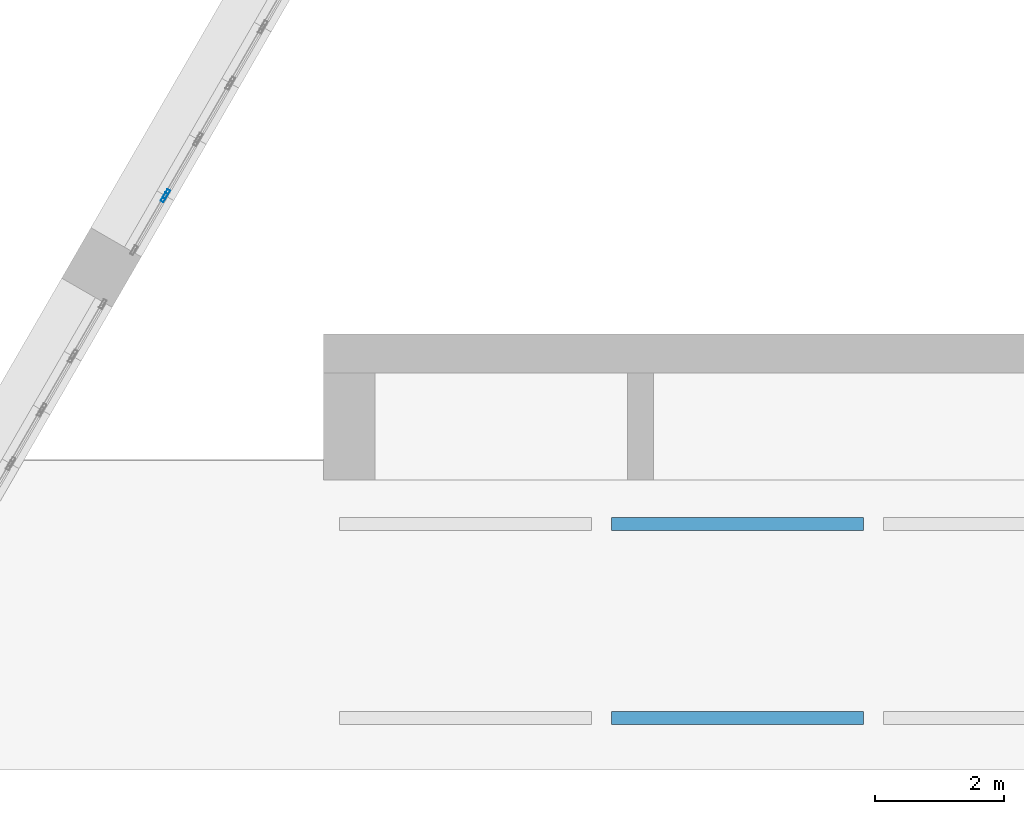
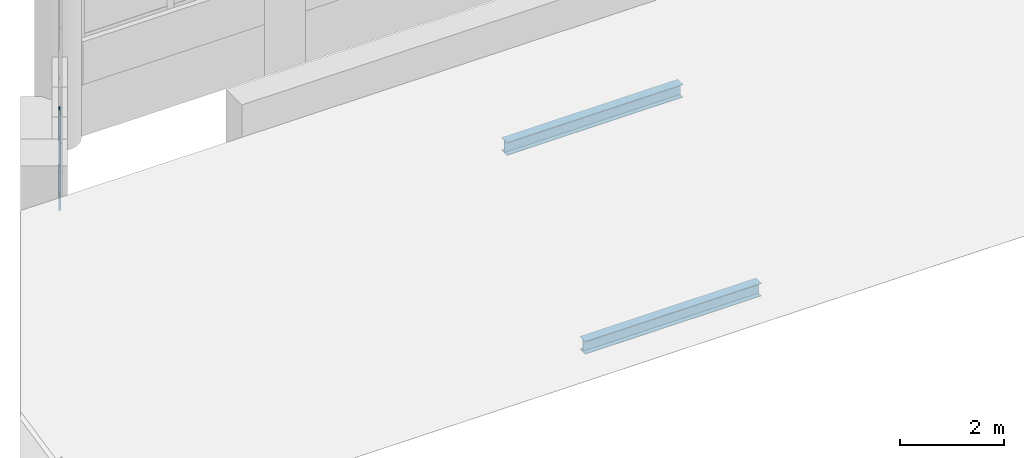
# One storey, part 3 of 11: 4 members, 2 elements without a shape of their own.
"""IFC4 building model written with IfcOpenShell, lengths in metres."""

from ifc_helpers import new_model, si_unit, direction, frame, origin, origin_2d, place, context, subcontext, project, spatial, hollow_rectangle, i_section, extrude, material, material_profile, profile_set, type_object, element, aggregate, save


model = new_model("IFC4")

# Units and contexts
model_context = context("Model", 3, precision=1e-05, world=origin(), true_north=direction((0.0, 1.0)))
body_context = subcontext(model_context, "Body", "Model", "MODEL_VIEW")
ifc_project = project(units=[si_unit("LENGTHUNIT", "METRE"), si_unit("AREAUNIT", "SQUARE_METRE"), si_unit("VOLUMEUNIT", "CUBIC_METRE"), si_unit("PLANEANGLEUNIT", "RADIAN"), si_unit("MASSUNIT", "GRAM", prefix="KILO")], contexts=[model_context])

# Site, building, storey
site_placement = place(None, origin())
site = spatial("IfcSite", under=ifc_project, at=site_placement, CompositionType="ELEMENT")
building_placement = place(site_placement, origin())
building = spatial("IfcBuilding", under=site, at=building_placement, Name="Ostrander Bayou Hotel Tower", CompositionType="ELEMENT")
storey_placement = place(building_placement, frame((0.0, 0.0, 293.0)))
storey = spatial("IfcBuildingStorey", under=building, at=storey_placement, Name="Roof 72", CompositionType="ELEMENT", Elevation=293.0)

# Members
ifc_material_1 = material(Name="Steel ASTM A992", Category="steel")
ifc_material_profile_1 = material_profile(ifc_material_1, i_section(OverallWidth=0.203369140625, OverallDepth=0.30322265625, WebThickness=0.007568359375, FlangeThickness=0.01318359375, at=origin_2d()))
ifc_profile_set_1 = profile_set([ifc_material_profile_1], Name="Steel ASTM A992")
member_type_1 = type_object("IfcMemberType", Name="CP3 crown purlin W12x40", PredefinedType="PURLIN", material=ifc_profile_set_1)
for number, where, z_axis, x_axis, name in (
    (1, (-4.046142578125, 3.76708984375, 0.25830078125), (1.0, 0.0, 0.0), (0.0, 1.0, 0.0), "CP3 P2-18"),
    (2, (-4.046142578125, 6.76708984375, 3.083984375), (1.0, 0.0, 0.0), (0.0, 1.0, 0.0), "CP3 P2-19"),
):
    element("IfcMember", number, at=place(storey_placement, frame(where, z_axis=z_axis, x_axis=x_axis)), inside=storey, type_object=member_type_1, Name=name, PredefinedType="PURLIN", context=body_context, shape_type="SweptSolid", body=[
        extrude(i_section(OverallWidth=0.203369140625, OverallDepth=0.30322265625, WebThickness=0.007568359375, FlangeThickness=0.01318359375, at=origin_2d()), origin(), (0.0, 0.0, 1.0), 3.892333984375),
    ])

# Curtain wall, member
ifc_material_2 = material(Name="Aluminium and clear glass", Category="aluminium")
curtain_wall_type = type_object("IfcCurtainWallType", Name="CW-CROWN glazed wall", PredefinedType="NOTDEFINED", material=ifc_material_2)
curtain_wall_1_placement = place(storey_placement, origin())
curtain_wall_1 = element("IfcCurtainWall", 3, at=curtain_wall_1_placement, inside=storey, type_object=curtain_wall_type, Name="CW-CROWN L72:NW-1-5", PredefinedType="NOTDEFINED")
ifc_material_3 = material(Name="Aluminium", Category="aluminium")
ifc_material_profile_2 = material_profile(ifc_material_3, hollow_rectangle(XDim=0.050048828125, YDim=0.14990234375, WallThickness=0.00390625, at=origin_2d()))
ifc_profile_set_2 = profile_set([ifc_material_profile_2], Name="Aluminium")
member_type_2 = type_object("IfcMemberType", Name="CW-CR mullion 50 x 150 mm", PredefinedType="MULLION", material=ifc_profile_set_2)
member_1_placement = place(storey_placement, frame((-10.9248046875, 11.864501953125, 1.0), z_axis=(0.0, 0.0, 1.0), x_axis=(0.866001306597, -0.50004173523, 0.0)))
member_1 = element("IfcMember", 4, at=member_1_placement, type_object=member_type_2, Name="CW-CROWN mullion 2", PredefinedType="MULLION", context=body_context, shape_type="SweptSolid", body=[
    extrude(hollow_rectangle(XDim=0.050048828125, YDim=0.14990234375, WallThickness=0.00390625, at=origin_2d()), origin(), (0.0, 0.0, 1.0), 2.300048828125),
])
aggregate(curtain_wall_1, [member_1])

curtain_wall_2_placement = place(storey_placement, origin())
curtain_wall_2 = element("IfcCurtainWall", 5, at=curtain_wall_2_placement, inside=storey, type_object=curtain_wall_type, Name="CW-CROWN L72:NW-1-6", PredefinedType="NOTDEFINED")
member_2_placement = place(storey_placement, frame((-10.954833984375, 11.8125, 1.0), z_axis=(0.0, 0.0, 1.0), x_axis=(0.866026229865, -0.499998569184, 0.0)))
member_2 = element("IfcMember", 6, at=member_2_placement, type_object=member_type_2, Name="CW-CROWN mullion 1", PredefinedType="MULLION", context=body_context, shape_type="SweptSolid", body=[
    extrude(hollow_rectangle(XDim=0.050048828125, YDim=0.14990234375, WallThickness=0.00390625, at=origin_2d()), origin(), (0.0, 0.0, 1.0), 2.300048828125),
])
aggregate(curtain_wall_2, [member_2])

save(model, "model.ifc")
